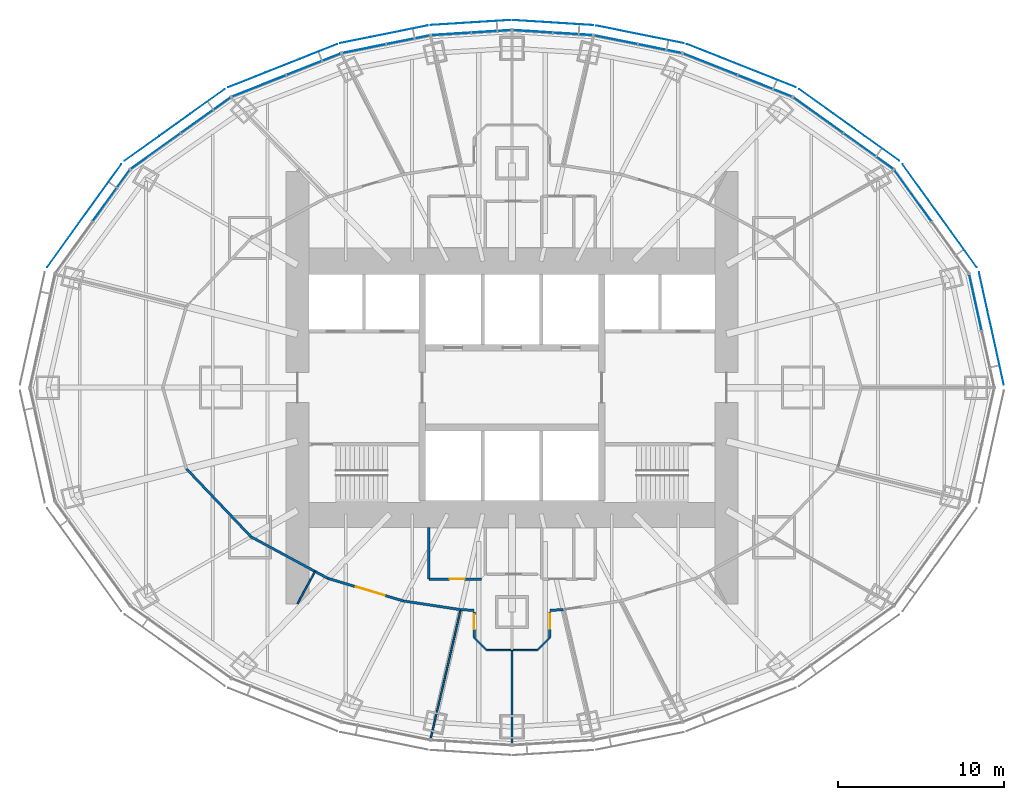
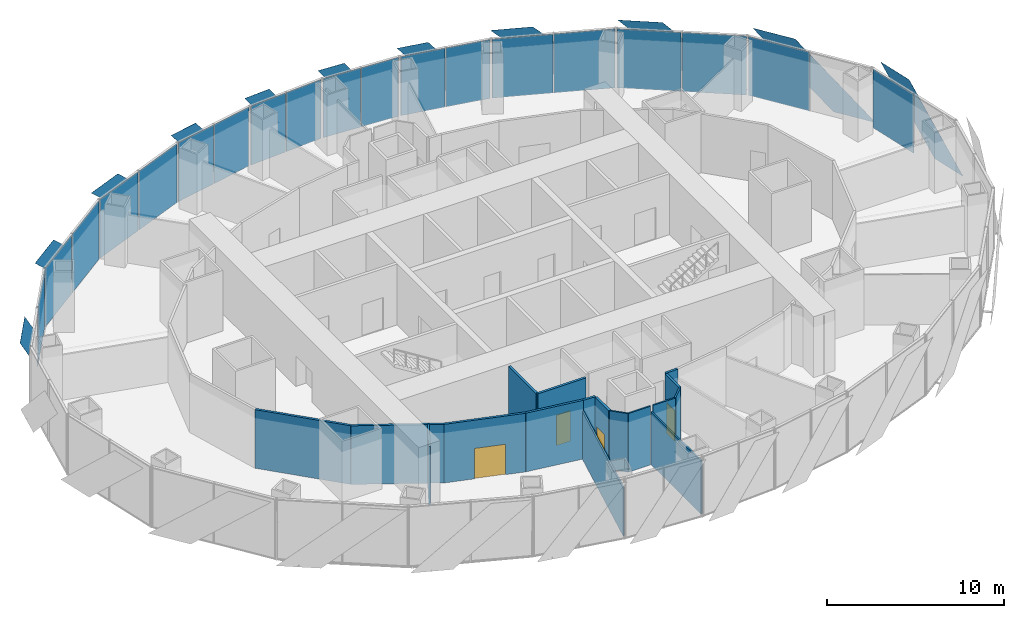
# One storey, part 10 of 18: 30 plates, 17 walls, 4 doors, 4 openings, 11 elements without a shape of their own.
"""IFC4 building model written with IfcOpenShell, lengths in metres."""

from ifc_helpers import new_model, si_unit, direction, frame, frame_2d, origin, origin_2d, place, context, subcontext, project, spatial, polyline, rectangle, outline, extrude, material, layer, layer_set, type_object, element, fill, aggregate, save


model = new_model("IFC4")

# Units and contexts
model_context = context("Model", 3, precision=1e-05, world=origin(), true_north=direction((0.0, 1.0)))
body_context = subcontext(model_context, "Body", "Model", "MODEL_VIEW")
ifc_project = project(units=[si_unit("LENGTHUNIT", "METRE"), si_unit("AREAUNIT", "SQUARE_METRE"), si_unit("VOLUMEUNIT", "CUBIC_METRE"), si_unit("PLANEANGLEUNIT", "RADIAN"), si_unit("MASSUNIT", "GRAM", prefix="KILO")], contexts=[model_context])

# Site, building, storey
site_placement = place(None, origin())
site = spatial("IfcSite", under=ifc_project, at=site_placement, CompositionType="ELEMENT")
building_placement = place(site_placement, origin())
building = spatial("IfcBuilding", under=site, at=building_placement, Name="Lantaw Convention Tower", CompositionType="ELEMENT")
storey_placement = place(building_placement, frame((0.0, 0.0, 142.60009765625)))
storey = spatial("IfcBuildingStorey", under=building, at=storey_placement, Name="L33", CompositionType="ELEMENT", Elevation=142.60009765625)

# Curtain wall, plate
ifc_material_1 = material(Name="Aluminium framed curtain wall", Category="aluminium")
curtain_wall_type = type_object("IfcCurtainWallType", Name="Office curtain wall low rise, pale aluminium", PredefinedType="USERDEFINED", material=ifc_material_1)
curtain_wall_1_placement = place(storey_placement, origin())
curtain_wall_1 = element("IfcCurtainWall", 1, at=curtain_wall_1_placement, inside=storey, type_object=curtain_wall_type, Name="Office curtain wall low rise, pale aluminium L33", ObjectType="UNITISED CURTAIN WALL", PredefinedType="USERDEFINED")
ifc_material_2 = material(Name="Clear insulating glass", Category="glass")
ifc_layer_1 = layer(ifc_material_2, 0.028076171875)
ifc_layer_set_1 = layer_set([ifc_layer_1], Name="CW-O1 panel 28")
plate_type_1 = type_object("IfcPlateType", Name="CW-O1 panel 28", PredefinedType="CURTAIN_PANEL", material=ifc_layer_set_1)
plate_1_placement = place(storey_placement, frame((27.868896484375, 5.1240234375, -0.0849609375), z_axis=(0.0, 0.0, 1.0), x_axis=(-0.215546166174, 0.9764936509, 0.0)))
plate_1 = element("IfcPlate", 2, at=plate_1_placement, type_object=plate_type_1, Name="CW-O1 panel 2.1", PredefinedType="CURTAIN_PANEL", context=body_context, shape_type="SweptSolid", body=[
    extrude(rectangle(XDim=3.41162109375, YDim=0.028076171875, at=origin_2d()), origin(), (0.0, 0.0, 1.0), 4.070068359375),
])
aggregate(curtain_wall_1, [plate_1])

curtain_wall_2_placement = place(storey_placement, origin())
curtain_wall_2 = element("IfcCurtainWall", 3, at=curtain_wall_2_placement, inside=storey, type_object=curtain_wall_type, Name="Office curtain wall low rise, pale aluminium L33", ObjectType="UNITISED CURTAIN WALL", PredefinedType="USERDEFINED")
plate_2_placement = place(storey_placement, frame((24.108154296875, 11.5439453125, -0.0849609375), z_axis=(0.0, 0.0, 1.0), x_axis=(-0.584512597221, 0.811384633629, 0.0)))
plate_2 = element("IfcPlate", 4, at=plate_2_placement, type_object=plate_type_1, Name="CW-O1 panel 2.1", PredefinedType="CURTAIN_PANEL", context=body_context, shape_type="SweptSolid", body=[
    extrude(rectangle(XDim=3.767333984375, YDim=0.028076171875, at=origin_2d()), origin(), (0.0, 0.0, 1.0), 4.070068359375),
])
aggregate(curtain_wall_2, [plate_2])

# Curtain wall, plates
curtain_wall_3_placement = place(storey_placement, origin())
curtain_wall_3 = element("IfcCurtainWall", 5, at=curtain_wall_3_placement, inside=storey, type_object=curtain_wall_type, Name="Office curtain wall low rise, pale aluminium L33", ObjectType="UNITISED CURTAIN WALL", PredefinedType="USERDEFINED")
plate_3_placement = place(storey_placement, frame((21.43408203125, 14.2236328125, -0.0849609375), z_axis=(0.0, 0.0, 1.0), x_axis=(-0.813208325995, 0.581972695693, 0.0)))
plate_3 = element("IfcPlate", 6, at=plate_3_placement, type_object=plate_type_1, Name="CW-O1 panel 1.1", PredefinedType="CURTAIN_PANEL", context=body_context, shape_type="SweptSolid", body=[
    extrude(rectangle(XDim=3.645263671875, YDim=0.028076171875, at=origin_2d()), origin(), (0.0, 0.0, 1.0), 4.070068359375),
])
plate_4_placement = place(storey_placement, frame((18.416748046875, 16.383056640625, -0.0849609375), z_axis=(0.0, 0.0, 1.0), x_axis=(-0.813208325995, 0.581972695693, 0.0)))
plate_4 = element("IfcPlate", 7, at=plate_4_placement, type_object=plate_type_1, Name="CW-O1 panel 2.1", PredefinedType="CURTAIN_PANEL", context=body_context, shape_type="SweptSolid", body=[
    extrude(rectangle(XDim=3.645263671875, YDim=0.028076171875, at=origin_2d()), origin(), (0.0, 0.0, 1.0), 4.070068359375),
])
aggregate(curtain_wall_3, [plate_3, plate_4])

curtain_wall_4_placement = place(storey_placement, origin())
curtain_wall_4 = element("IfcCurtainWall", 8, at=curtain_wall_4_placement, inside=storey, type_object=curtain_wall_type, Name="Office curtain wall low rise, pale aluminium L33", ObjectType="UNITISED CURTAIN WALL", PredefinedType="USERDEFINED")
plate_5_placement = place(storey_placement, frame((15.208251953125, 18.145263671875, -0.0849609375), z_axis=(0.0, 0.0, 1.0), x_axis=(-0.929547687544, 0.368701907483, 0.0)))
plate_5 = element("IfcPlate", 9, at=plate_5_placement, type_object=plate_type_1, Name="CW-O1 panel 1.1", PredefinedType="CURTAIN_PANEL", context=body_context, shape_type="SweptSolid", body=[
    extrude(rectangle(XDim=3.470703125, YDim=0.028076171875, at=origin_2d()), origin(), (0.0, 0.0, 1.0), 4.070068359375),
])
plate_6_placement = place(storey_placement, frame((11.921630859375, 19.448974609375, -0.0849609375), z_axis=(0.0, 0.0, 1.0), x_axis=(-0.929547687544, 0.368701907483, 0.0)))
plate_6 = element("IfcPlate", 10, at=plate_6_placement, type_object=plate_type_1, Name="CW-O1 panel 2.1", PredefinedType="CURTAIN_PANEL", context=body_context, shape_type="SweptSolid", body=[
    extrude(rectangle(XDim=3.470703125, YDim=0.028076171875, at=origin_2d()), origin(), (0.0, 0.0, 1.0), 4.070068359375),
])
aggregate(curtain_wall_4, [plate_5, plate_6])

curtain_wall_5_placement = place(storey_placement, origin())
curtain_wall_5 = element("IfcCurtainWall", 11, at=curtain_wall_5_placement, inside=storey, type_object=curtain_wall_type, Name="Office curtain wall low rise, pale aluminium L33", ObjectType="UNITISED CURTAIN WALL", PredefinedType="USERDEFINED")
plate_7_placement = place(storey_placement, frame((8.893310546875, 20.3857421875, -0.0849609375), z_axis=(0.0, 0.0, 1.0), x_axis=(-0.980301514912, 0.197506809659, 0.0)))
plate_7 = element("IfcPlate", 12, at=plate_7_placement, type_object=plate_type_1, Name="CW-O1 panel 1.1", PredefinedType="CURTAIN_PANEL", context=body_context, shape_type="SweptSolid", body=[
    extrude(rectangle(XDim=2.634033203125, YDim=0.028076171875, at=origin_2d()), origin(), (0.0, 0.0, 1.0), 4.070068359375),
])
plate_8_placement = place(storey_placement, frame((6.247314453125, 20.9189453125, -0.0849609375), z_axis=(0.0, 0.0, 1.0), x_axis=(-0.980301514912, 0.197506809659, 0.0)))
plate_8 = element("IfcPlate", 13, at=plate_8_placement, type_object=plate_type_1, Name="CW-O1 panel 2.1", PredefinedType="CURTAIN_PANEL", context=body_context, shape_type="SweptSolid", body=[
    extrude(rectangle(XDim=2.634033203125, YDim=0.028076171875, at=origin_2d()), origin(), (0.0, 0.0, 1.0), 4.070068359375),
])
aggregate(curtain_wall_5, [plate_7, plate_8])

curtain_wall_6_placement = place(storey_placement, origin())
curtain_wall_6 = element("IfcCurtainWall", 14, at=curtain_wall_6_placement, inside=storey, type_object=curtain_wall_type, Name="Office curtain wall low rise, pale aluminium L33", ObjectType="UNITISED CURTAIN WALL", PredefinedType="USERDEFINED")
plate_9_placement = place(storey_placement, frame((3.653076171875, 21.269775390625, -0.0849609375), z_axis=(0.0, 0.0, 1.0), x_axis=(-0.998022035978, 0.062865059466, 0.0)))
plate_9 = element("IfcPlate", 15, at=plate_9_placement, type_object=plate_type_1, Name="CW-O1 panel 1.1", PredefinedType="CURTAIN_PANEL", context=body_context, shape_type="SweptSolid", body=[
    extrude(rectangle(XDim=2.353515625, YDim=0.028076171875, at=origin_2d()), origin(), (0.0, 0.0, 1.0), 4.070068359375),
])
plate_10_placement = place(storey_placement, frame((1.2392578125, 21.421875, -0.0849609375), z_axis=(0.0, 0.0, 1.0), x_axis=(-0.998022035978, 0.062865059466, 0.0)))
plate_10 = element("IfcPlate", 16, at=plate_10_placement, type_object=plate_type_1, Name="CW-O1 panel 2.1", PredefinedType="CURTAIN_PANEL", context=body_context, shape_type="SweptSolid", body=[
    extrude(rectangle(XDim=2.353515625, YDim=0.028076171875, at=origin_2d()), origin(), (0.0, 0.0, 1.0), 4.070068359375),
])
aggregate(curtain_wall_6, [plate_9, plate_10])

curtain_wall_7_placement = place(storey_placement, origin())
curtain_wall_7 = element("IfcCurtainWall", 17, at=curtain_wall_7_placement, inside=storey, type_object=curtain_wall_type, Name="Office curtain wall low rise, pale aluminium L33", ObjectType="UNITISED CURTAIN WALL", PredefinedType="USERDEFINED")
plate_11_placement = place(storey_placement, frame((-1.2392578125, 21.421875, -0.0849609375), z_axis=(0.0, 0.0, 1.0), x_axis=(-0.998022035978, -0.062865059466, 0.0)))
plate_11 = element("IfcPlate", 18, at=plate_11_placement, type_object=plate_type_1, Name="CW-O1 panel 1.1", PredefinedType="CURTAIN_PANEL", context=body_context, shape_type="SweptSolid", body=[
    extrude(rectangle(XDim=2.353515625, YDim=0.028076171875, at=origin_2d()), origin(), (0.0, 0.0, 1.0), 4.070068359375),
])
plate_12_placement = place(storey_placement, frame((-3.653076171875, 21.269775390625, -0.0849609375), z_axis=(0.0, 0.0, 1.0), x_axis=(-0.998022035978, -0.062865059466, 0.0)))
plate_12 = element("IfcPlate", 19, at=plate_12_placement, type_object=plate_type_1, Name="CW-O1 panel 2.1", PredefinedType="CURTAIN_PANEL", context=body_context, shape_type="SweptSolid", body=[
    extrude(rectangle(XDim=2.353515625, YDim=0.028076171875, at=origin_2d()), origin(), (0.0, 0.0, 1.0), 4.070068359375),
])
aggregate(curtain_wall_7, [plate_11, plate_12])

curtain_wall_8_placement = place(storey_placement, origin())
curtain_wall_8 = element("IfcCurtainWall", 20, at=curtain_wall_8_placement, inside=storey, type_object=curtain_wall_type, Name="Office curtain wall low rise, pale aluminium L33", ObjectType="UNITISED CURTAIN WALL", PredefinedType="USERDEFINED")
plate_13_placement = place(storey_placement, frame((-6.247314453125, 20.9189453125, -0.0849609375), z_axis=(0.0, 0.0, 1.0), x_axis=(-0.980301514912, -0.197506809659, 0.0)))
plate_13 = element("IfcPlate", 21, at=plate_13_placement, type_object=plate_type_1, Name="CW-O1 panel 1.1", PredefinedType="CURTAIN_PANEL", context=body_context, shape_type="SweptSolid", body=[
    extrude(rectangle(XDim=2.634033203125, YDim=0.028076171875, at=origin_2d()), origin(), (0.0, 0.0, 1.0), 4.070068359375),
])
plate_14_placement = place(storey_placement, frame((-8.893310546875, 20.3857421875, -0.0849609375), z_axis=(0.0, 0.0, 1.0), x_axis=(-0.980301514912, -0.197506809659, 0.0)))
plate_14 = element("IfcPlate", 22, at=plate_14_placement, type_object=plate_type_1, Name="CW-O1 panel 2.1", PredefinedType="CURTAIN_PANEL", context=body_context, shape_type="SweptSolid", body=[
    extrude(rectangle(XDim=2.634033203125, YDim=0.028076171875, at=origin_2d()), origin(), (0.0, 0.0, 1.0), 4.070068359375),
])
aggregate(curtain_wall_8, [plate_13, plate_14])

curtain_wall_9_placement = place(storey_placement, origin())
curtain_wall_9 = element("IfcCurtainWall", 23, at=curtain_wall_9_placement, inside=storey, type_object=curtain_wall_type, Name="Office curtain wall low rise, pale aluminium L33", ObjectType="UNITISED CURTAIN WALL", PredefinedType="USERDEFINED")
plate_15_placement = place(storey_placement, frame((-11.921630859375, 19.448974609375, -0.0849609375), z_axis=(0.0, 0.0, 1.0), x_axis=(-0.929547687544, -0.368701907483, 0.0)))
plate_15 = element("IfcPlate", 24, at=plate_15_placement, type_object=plate_type_1, Name="CW-O1 panel 1.1", PredefinedType="CURTAIN_PANEL", context=body_context, shape_type="SweptSolid", body=[
    extrude(rectangle(XDim=3.470703125, YDim=0.028076171875, at=origin_2d()), origin(), (0.0, 0.0, 1.0), 4.070068359375),
])
plate_16_placement = place(storey_placement, frame((-15.208251953125, 18.145263671875, -0.0849609375), z_axis=(0.0, 0.0, 1.0), x_axis=(-0.929547687544, -0.368701907483, 0.0)))
plate_16 = element("IfcPlate", 25, at=plate_16_placement, type_object=plate_type_1, Name="CW-O1 panel 2.1", PredefinedType="CURTAIN_PANEL", context=body_context, shape_type="SweptSolid", body=[
    extrude(rectangle(XDim=3.470703125, YDim=0.028076171875, at=origin_2d()), origin(), (0.0, 0.0, 1.0), 4.070068359375),
])
aggregate(curtain_wall_9, [plate_15, plate_16])

curtain_wall_10_placement = place(storey_placement, origin())
curtain_wall_10 = element("IfcCurtainWall", 26, at=curtain_wall_10_placement, inside=storey, type_object=curtain_wall_type, Name="Office curtain wall low rise, pale aluminium L33", ObjectType="UNITISED CURTAIN WALL", PredefinedType="USERDEFINED")
plate_17_placement = place(storey_placement, frame((-18.416748046875, 16.383056640625, -0.0849609375), z_axis=(0.0, 0.0, 1.0), x_axis=(-0.813208325995, -0.581972695693, 0.0)))
plate_17 = element("IfcPlate", 27, at=plate_17_placement, type_object=plate_type_1, Name="CW-O1 panel 1.1", PredefinedType="CURTAIN_PANEL", context=body_context, shape_type="SweptSolid", body=[
    extrude(rectangle(XDim=3.645263671875, YDim=0.028076171875, at=origin_2d()), origin(), (0.0, 0.0, 1.0), 4.070068359375),
])
plate_18_placement = place(storey_placement, frame((-21.43408203125, 14.2236328125, -0.0849609375), z_axis=(0.0, 0.0, 1.0), x_axis=(-0.813208325995, -0.581972695693, 0.0)))
plate_18 = element("IfcPlate", 28, at=plate_18_placement, type_object=plate_type_1, Name="CW-O1 panel 2.1", PredefinedType="CURTAIN_PANEL", context=body_context, shape_type="SweptSolid", body=[
    extrude(rectangle(XDim=3.645263671875, YDim=0.028076171875, at=origin_2d()), origin(), (0.0, 0.0, 1.0), 4.070068359375),
])
aggregate(curtain_wall_10, [plate_17, plate_18])

# Curtain wall, plate
curtain_wall_11_placement = place(storey_placement, origin())
curtain_wall_11 = element("IfcCurtainWall", 29, at=curtain_wall_11_placement, inside=storey, type_object=curtain_wall_type, Name="Office curtain wall low rise, pale aluminium L33", ObjectType="UNITISED CURTAIN WALL", PredefinedType="USERDEFINED")
plate_19_placement = place(storey_placement, frame((-24.108154296875, 11.5439453125, -0.0849609375), z_axis=(0.0, 0.0, 1.0), x_axis=(-0.584512597221, -0.811384633629, 0.0)))
plate_19 = element("IfcPlate", 30, at=plate_19_placement, type_object=plate_type_1, Name="CW-O1 panel 1.1", PredefinedType="CURTAIN_PANEL", context=body_context, shape_type="SweptSolid", body=[
    extrude(rectangle(XDim=3.767333984375, YDim=0.028076171875, at=origin_2d()), origin(), (0.0, 0.0, 1.0), 4.070068359375),
])
aggregate(curtain_wall_11, [plate_19])

# Plates
ifc_material_3 = material(Name="Perforated aluminium sheet, pale silver finish", Category="aluminium")
ifc_layer_2 = layer(ifc_material_3, 0.006103515625)
ifc_layer_set_2 = layer_set([ifc_layer_2], Name="Perforated aluminium solar SCREEN panel")
plate_type_2 = type_object("IfcPlateType", Name="Perforated aluminium solar SCREEN panel", PredefinedType="SHEET", material=ifc_layer_set_2)
plate_20_placement = place(storey_placement, frame((29.5810546875, 0.179443359375, -0.175048828125), z_axis=(0.976497812463, 0.215527309509, 3.3329045e-05), x_axis=(-0.215527309629, 0.976497813005, 1.665e-09)))
element("IfcPlate", 31, at=plate_20_placement, inside=storey, type_object=plate_type_2, Name="Solar SCREEN panel", PredefinedType="SHEET", context=body_context, shape_type="SweptSolid", body=[
    extrude(outline(polyline([(0.0, 0.0), (2.3861843673609986, 0.0), (6.918240190546627, 4.339843740891906), (4.532108442157707, 4.339843748837556), (0.0, 0.0)])), origin(), (0.0, 0.0, -1.0), 0.006103515625),
])
plate_21_placement = place(storey_placement, frame((27.94970703125, 7.248046875, -0.175048828125), z_axis=(0.81139512159, 0.584498037099, 3.5888803e-05), x_axis=(-0.584498037475, 0.811395122112, -9.74e-10)))
element("IfcPlate", 32, at=plate_21_placement, inside=storey, type_object=plate_type_2, Name="Solar SCREEN panel", PredefinedType="SHEET", context=body_context, shape_type="SweptSolid", body=[
    extrude(outline(polyline([(0.0, 0.0), (2.628222178575422, -6.776263578034403e-21), (7.629778257969264, 4.339843760228519), (5.001754173906077, 4.339843755107391), (0.0, 0.0)])), origin(), (0.0, 0.0, -1.0), 0.006103515625),
])
plate_22_placement = place(storey_placement, frame((23.281005859375, 13.64697265625, -0.175048828125), z_axis=(0.582000183937, 0.813188653244, 1.1537794e-05), x_axis=(-0.813188653298, 0.582000183975, 0.0)))
element("IfcPlate", 33, at=plate_22_placement, inside=storey, type_object=plate_type_2, Name="Solar SCREEN panel", PredefinedType="SHEET", context=body_context, shape_type="SweptSolid", body=[
    extrude(outline(polyline([(0.0, 0.0), (2.5450183911586484, 1.6940658945086007e-21), (7.385531276904658, 4.339843750288861), (4.840512885746009, 4.339843750288861), (0.0, 0.0)])), origin(), (0.0, 0.0, -1.0), 0.006103515625),
])
plate_23_placement = place(storey_placement, frame((17.05859375, 18.063232421875, -0.175048828125), z_axis=(-0.368708915367, -0.929544907797, 1.0867661e-05), x_axis=(-0.929544907851, 0.368708915389, 7.1e-10)))
element("IfcPlate", 34, at=plate_23_placement, inside=storey, type_object=plate_type_2, Name="Solar SCREEN panel", PredefinedType="SHEET", context=body_context, shape_type="SweptSolid", body=[
    extrude(outline(polyline([(0.0, 0.0), (2.4263803793049097, 0.0), (7.036549629566982, -4.339843745261612), (4.61003232741235, -4.339843748706285), (0.0, 0.0)])), origin(), (0.0, 0.0, -1.0), 0.006103515625),
])
plate_24_placement = place(storey_placement, frame((10.318603515625, 20.716796875, -0.175048828125), z_axis=(0.197556725442, 0.980291455983, 3.9485719e-05), x_axis=(-0.980291456747, 0.197556725596, 0.0)))
element("IfcPlate", 35, at=plate_24_placement, inside=storey, type_object=plate_type_2, Name="Solar SCREEN panel", PredefinedType="SHEET", context=body_context, shape_type="SweptSolid", body=[
    extrude(outline(polyline([(0.0, 0.0), (1.8574075788555457, 1.6940658945086007e-21), (5.362987026845185, 4.339843753383173), (3.505579447989639, 4.339843753383173), (0.0, 0.0)])), origin(), (0.0, 0.0, -1.0), 0.006103515625),
])
plate_25_placement = place(storey_placement, frame((4.880615234375, 21.7998046875, -0.175048828125), z_axis=(0.062838799866, 0.998023689713, 1.755158e-06), x_axis=(-0.998023689715, 0.062838799866, -8e-12)))
element("IfcPlate", 36, at=plate_25_placement, inside=storey, type_object=plate_type_2, Name="Solar SCREEN panel", PredefinedType="SHEET", context=body_context, shape_type="SweptSolid", body=[
    extrude(outline(polyline([(0.0, 0.0), (1.6666243269452135, 2.6469779601696886e-23), (4.802214797186689, 4.339843750045478), (3.135346812114104, 4.33984375001855), (0.0, 0.0)])), origin(), (0.0, 0.0, -1.0), 0.006103515625),
])
plate_26_placement = place(storey_placement, frame((-0.087890625, 22.1015625, -0.175048828125), z_axis=(0.062838799866, -0.998023689713, 1.755158e-06), x_axis=(-0.998023689715, -0.062838799866, 8e-12)))
element("IfcPlate", 37, at=plate_26_placement, inside=storey, type_object=plate_type_2, Name="Solar SCREEN panel", PredefinedType="SHEET", context=body_context, shape_type="SweptSolid", body=[
    extrude(outline(polyline([(0.0, 0.0), (1.6668679850725854, -5.293955920339377e-23), (4.802214797256801, -4.339843749967897), (3.1355904703115876, -4.339843749994822), (0.0, 0.0)])), origin(), (0.0, 0.0, -1.0), 0.006103515625),
])
plate_27_placement = place(storey_placement, frame((-5.061279296875, 21.776123046875, -0.175048828125), z_axis=(0.197556725442, -0.980291455983, 3.9485719e-05), x_axis=(-0.980291456747, -0.197556725596, 0.0)))
element("IfcPlate", 38, at=plate_27_placement, inside=storey, type_object=plate_type_2, Name="Solar SCREEN panel", PredefinedType="SHEET", context=body_context, shape_type="SweptSolid", body=[
    extrude(outline(polyline([(0.0, 0.0), (1.8574075788555457, -1.6940658945086007e-21), (5.362987026845185, -4.339843753383173), (3.505579447989639, -4.339843753383173), (0.0, 0.0)])), origin(), (0.0, 0.0, -1.0), 0.006103515625),
])
plate_28_placement = place(storey_placement, frame((-10.517822265625, 20.65771484375, -0.175048828125), z_axis=(-0.368708915367, 0.929544907797, 1.0867661e-05), x_axis=(-0.929544907851, -0.368708915389, -7.1e-10)))
element("IfcPlate", 39, at=plate_28_placement, inside=storey, type_object=plate_type_2, Name="Solar SCREEN panel", PredefinedType="SHEET", context=body_context, shape_type="SweptSolid", body=[
    extrude(outline(polyline([(0.0, 0.0), (2.426517302154632, 1.6940658945086007e-21), (7.036549623406159, 4.339843755250667), (4.610169244101249, 4.339843751806188), (0.0, 0.0)])), origin(), (0.0, 0.0, -1.0), 0.006103515625),
])
plate_29_placement = place(storey_placement, frame((-17.275146484375, 17.9453125, -0.175048828125), z_axis=(0.582000183937, -0.813188653244, 1.1537794e-05), x_axis=(-0.813188653298, -0.582000183975, 0.0)))
element("IfcPlate", 40, at=plate_29_placement, inside=storey, type_object=plate_type_2, Name="Solar SCREEN panel", PredefinedType="SHEET", context=body_context, shape_type="SweptSolid", body=[
    extrude(outline(polyline([(0.0, 0.0), (2.5450183911586484, -1.6940658945086007e-21), (7.385531276904658, -4.339843750288861), (4.840512885746009, -4.339843750288861), (0.0, 0.0)])), origin(), (0.0, 0.0, -1.0), 0.006103515625),
])
plate_30_placement = place(storey_placement, frame((-23.489990234375, 13.438720703125, -0.175048828125), z_axis=(0.81139512159, -0.584498037099, 3.5888803e-05), x_axis=(-0.584498037475, -0.811395122112, 9.74e-10)))
element("IfcPlate", 41, at=plate_30_placement, inside=storey, type_object=plate_type_2, Name="Solar SCREEN panel", PredefinedType="SHEET", context=body_context, shape_type="SweptSolid", body=[
    extrude(outline(polyline([(0.0, 0.0), (2.6280240840631874, 6.776263578034403e-21), (7.62977826642615, -4.339843745360666), (5.001556087850728, -4.3398437504821805), (0.0, 0.0)])), origin(), (0.0, 0.0, -1.0), 0.006103515625),
])

# Walls
ifc_material_4 = material(Name="Gypsum board on steel studs, fire rated", Category="steel")
ifc_layer_3 = layer(ifc_material_4, 0.14990234375)
ifc_layer_set_3 = layer_set([ifc_layer_3], Name="Corridor wall 150 EI 60")
wall_type_1 = type_object("IfcWallType", Name="Corridor wall 150 EI 60", PredefinedType="PARTITIONING", material=ifc_layer_set_3)
wall_1_placement = place(storey_placement, frame((-19.5791015625, -4.881591796875, 0.0), z_axis=(0.0, 0.0, 1.0), x_axis=(0.688797257101, -0.72495402517, 0.0)))
element("IfcWall", 42, at=wall_1_placement, inside=storey, type_object=wall_type_1, Name="Corridor wall 150", PredefinedType="PARTITIONING", context=body_context, shape_type="SweptSolid", body=[
    extrude(rectangle(XDim=5.63818359375, YDim=0.14990234375, at=frame_2d((2.819091796875, 0.0))), origin(), (0.0, 0.0, 1.0), 4.0498046875),
])
wall_2_placement = place(storey_placement, frame((-15.695556640625, -8.968994140625, 0.0), z_axis=(0.0, 0.0, 1.0), x_axis=(0.879436285334, -0.476016617397, 0.0)))
element("IfcWall", 43, at=wall_2_placement, inside=storey, type_object=wall_type_1, Name="Corridor wall 150", PredefinedType="PARTITIONING", context=body_context, shape_type="SweptSolid", body=[
    extrude(rectangle(XDim=5.2529296875, YDim=0.14990234375, at=frame_2d((2.62646484375, 0.0))), origin(), (0.0, 0.0, 1.0), 4.0498046875),
])

# Wall, opening, door
wall_3_placement = place(storey_placement, frame((-11.075927734375, -11.469482421875, 0.0), z_axis=(0.0, 0.0, 1.0), x_axis=(0.957933992798, -0.286988615527, 0.0)))
wall_3 = element("IfcWall", 44, at=wall_3_placement, inside=storey, type_object=wall_type_1, Name="Corridor wall 150", PredefinedType="PARTITIONING", context=body_context, shape_type="SweptSolid", body=[
    extrude(rectangle(XDim=4.73828125, YDim=0.14990234375, at=frame_2d((2.369140625, 0.0))), origin(), (0.0, 0.0, 1.0), 4.0498046875),
])
opening_1_placement = place(wall_3_placement, frame((1.773681640625, 0.0, 0.0)))
opening_1 = element("IfcOpeningElement", 45, at=opening_1_placement, cuts=wall_3, Name="Opening L33.29", PredefinedType="OPENING", context=body_context, shape_type="SweptSolid", body=[
    extrude(rectangle(XDim=1.800048828125, YDim=2.10009765625, at=frame_2d((0.89990234375, 1.050048828125))), frame((0.0, 0.0849609375, 0.0), z_axis=(0.0, -1.0, 0.0), x_axis=(1.0, 0.0, 0.0)), (0.0, 0.0, 1.0), 0.169921875),
])
ifc_material_5 = material(Name="Steel, fire rated", Category="steel")
door_type_1 = type_object("IfcDoorType", Name="Office double door 1800 FD30", OperationType="DOUBLE_DOOR_DOUBLE_SWING", PredefinedType="DOOR", material=ifc_material_5)
door_1_placement = place(opening_1_placement, origin())
door_1 = element("IfcDoor", 46, at=door_1_placement, inside=storey, type_object=door_type_1, Name="Open office door", OperationType="DOUBLE_DOOR_DOUBLE_SWING", OverallHeight=2.10009765625, OverallWidth=1.800048828125, PredefinedType="DOOR", context=body_context, shape_type="SweptSolid", body=[
    extrude(rectangle(XDim=1.800048828125, YDim=2.10009765625, at=frame_2d((0.89990234375, 1.050048828125))), frame((0.0, 0.02490234375, 0.0), z_axis=(0.0, -1.0, 0.0), x_axis=(1.0, 0.0, 0.0)), (0.0, 0.0, 1.0), 0.050048828125),
])
fill(opening_1, door_1)

# Walls
wall_4_placement = place(storey_placement, frame((-6.536865234375, -12.829345703125, 0.0), z_axis=(0.0, 0.0, 1.0), x_axis=(0.988668719464, -0.150113833987, 0.0)))
element("IfcWall", 47, at=wall_4_placement, inside=storey, type_object=wall_type_1, Name="Corridor wall 150", PredefinedType="PARTITIONING", context=body_context, shape_type="SweptSolid", body=[
    extrude(rectangle(XDim=3.493408203125, YDim=0.14990234375, at=frame_2d((1.74658203125, 0.0))), origin(), (0.0, 0.0, 1.0), 4.0498046875),
])
for number, where, z_axis, x_axis, name in (
    (48, (-3.0830078125, -13.353759765625, 0.0), (0.0, 0.0, 1.0), (0.998878614804, -0.04734461836, 0.0), "Corridor wall 150"),
    (49, (2.294921875, -13.39111328125, 0.0), (0.0, 0.0, 1.0), (0.998878614804, 0.04734461836, 0.0), "Corridor wall 150"),
):
    element("IfcWall", number, at=place(storey_placement, frame(where, z_axis=z_axis, x_axis=x_axis)), inside=storey, type_object=wall_type_1, Name=name, PredefinedType="PARTITIONING", context=body_context, shape_type="SweptSolid", body=[
        extrude(rectangle(XDim=0.7890625, YDim=0.14990234375, at=frame_2d((0.39453125, 0.0))), origin(), (0.0, 0.0, 1.0), 4.0498046875),
    ])

# Wall, opening, door
wall_5_placement = place(storey_placement, frame((-2.284912109375, -15.0322265625, 0.0), z_axis=(0.0, 0.0, 1.0), x_axis=(0.0, 1.0, 0.0)))
wall_5 = element("IfcWall", 50, at=wall_5_placement, inside=storey, type_object=wall_type_1, Name="Corridor wall 150", PredefinedType="PARTITIONING", context=body_context, shape_type="SweptSolid", body=[
    extrude(rectangle(XDim=1.53955078125, YDim=0.14990234375, at=frame_2d((0.769775390625, 0.0))), origin(), (0.0, 0.0, 1.0), 4.0498046875),
])
opening_2_placement = place(wall_5_placement, frame((0.5, 0.0, 0.0)))
opening_2 = element("IfcOpeningElement", 51, at=opening_2_placement, cuts=wall_5, Name="Opening L33.30", PredefinedType="OPENING", context=body_context, shape_type="SweptSolid", body=[
    extrude(rectangle(XDim=0.89990234375, YDim=2.10009765625, at=frame_2d((0.449951171875, 1.050048828125))), frame((0.0, 0.0849609375, 0.0), z_axis=(0.0, -1.0, 0.0), x_axis=(1.0, 0.0, 0.0)), (0.0, 0.0, 1.0), 0.169921875),
])
door_type_2 = type_object("IfcDoorType", Name="Office door 900 FD30", OperationType="SINGLE_SWING_LEFT", PredefinedType="DOOR", material=ifc_material_5)
door_2_placement = place(opening_2_placement, origin())
door_2 = element("IfcDoor", 52, at=door_2_placement, inside=storey, type_object=door_type_2, Name="Meeting room door", OperationType="SINGLE_SWING_LEFT", OverallHeight=2.10009765625, OverallWidth=0.89990234375, PredefinedType="DOOR", context=body_context, shape_type="SweptSolid", body=[
    extrude(rectangle(XDim=0.89990234375, YDim=2.10009765625, at=frame_2d((0.449951171875, 1.050048828125))), frame((0.0, 0.02490234375, 0.0), z_axis=(0.0, -1.0, 0.0), x_axis=(1.0, 0.0, 0.0)), (0.0, 0.0, 1.0), 0.050048828125),
])
fill(opening_2, door_2)

wall_6_placement = place(storey_placement, frame((2.284912109375, -13.49267578125, 0.0), z_axis=(0.0, 0.0, 1.0), x_axis=(0.0, -1.0, 0.0)))
wall_6 = element("IfcWall", 53, at=wall_6_placement, inside=storey, type_object=wall_type_1, Name="Corridor wall 150", PredefinedType="PARTITIONING", context=body_context, shape_type="SweptSolid", body=[
    extrude(rectangle(XDim=1.53955078125, YDim=0.14990234375, at=frame_2d((0.769775390625, 0.0))), origin(), (0.0, 0.0, 1.0), 4.0498046875),
])
opening_3_placement = place(wall_6_placement, frame((0.10009765625, 0.0, 0.0)))
opening_3 = element("IfcOpeningElement", 54, at=opening_3_placement, cuts=wall_6, Name="Opening L33.31", PredefinedType="OPENING", context=body_context, shape_type="SweptSolid", body=[
    extrude(rectangle(XDim=0.89990234375, YDim=2.10009765625, at=frame_2d((0.449951171875, 1.050048828125))), frame((0.0, 0.0849609375, 0.0), z_axis=(0.0, -1.0, 0.0), x_axis=(1.0, 0.0, 0.0)), (0.0, 0.0, 1.0), 0.169921875),
])
door_3_placement = place(opening_3_placement, origin())
door_3 = element("IfcDoor", 55, at=door_3_placement, inside=storey, type_object=door_type_2, Name="Meeting room door", OperationType="SINGLE_SWING_LEFT", OverallHeight=2.10009765625, OverallWidth=0.89990234375, PredefinedType="DOOR", context=body_context, shape_type="SweptSolid", body=[
    extrude(rectangle(XDim=0.89990234375, YDim=2.10009765625, at=frame_2d((0.449951171875, 1.050048828125))), frame((0.0, 0.02490234375, 0.0), z_axis=(0.0, -1.0, 0.0), x_axis=(1.0, 0.0, 0.0)), (0.0, 0.0, 1.0), 0.050048828125),
])
fill(opening_3, door_3)

# Walls
ifc_material_6 = material(Name="Gypsum board on steel studs, acoustic", Category="steel")
ifc_layer_4 = layer(ifc_material_6, 0.10009765625)
ifc_layer_set_4 = layer_set([ifc_layer_4], Name="Office partition 100")
wall_type_2 = type_object("IfcWallType", Name="Office partition 100", PredefinedType="PARTITIONING", material=ifc_layer_set_4)
wall_7_placement = place(storey_placement, frame((-4.89697265625, -21.134765625, 0.0), z_axis=(0.0, 0.0, 1.0), x_axis=(0.227039313577, 0.973885593943, 0.0)))
element("IfcWall", 56, at=wall_7_placement, inside=storey, type_object=wall_type_2, Name="Office partition 100", PredefinedType="PARTITIONING", context=body_context, shape_type="SweptSolid", body=[
    extrude(rectangle(XDim=7.98974609375, YDim=0.10009765625, at=frame_2d((3.994873046875, 0.0))), origin(), (0.0, 0.0, 1.0), 3.29296875),
])
wall_8_placement = place(storey_placement, frame((-12.89990234375, -13.0, 0.0), z_axis=(0.0, 0.0, 1.0), x_axis=(0.475998959765, 0.879445842734, 0.0)))
element("IfcWall", 57, at=wall_8_placement, inside=storey, type_object=wall_type_2, Name="Office partition 100", PredefinedType="PARTITIONING", context=body_context, shape_type="SweptSolid", body=[
    extrude(rectangle(XDim=2.214111328125, YDim=0.10009765625, at=frame_2d((1.10693359375, 0.0))), origin(), (0.0, 0.0, 1.0), 4.0498046875),
])
wall_9_placement = place(storey_placement, frame((0.0, -21.44482421875, 0.0), z_axis=(0.0, 0.0, 1.0), x_axis=(0.0, 1.0, 0.0)))
element("IfcWall", 58, at=wall_9_placement, inside=storey, type_object=wall_type_2, Name="Office partition 100", PredefinedType="PARTITIONING", context=body_context, shape_type="SweptSolid", body=[
    extrude(rectangle(XDim=5.64990234375, YDim=0.10009765625, at=frame_2d((2.824951171875, 0.0))), origin(), (0.0, 0.0, 1.0), 3.64599609375),
])
wall_10_placement = place(storey_placement, frame((-0.078125, -15.784912109375, 0.0), z_axis=(0.0, 0.0, 1.0), x_axis=(-1.0, 0.0, 0.0)))
element("IfcWall", 59, at=wall_10_placement, inside=storey, type_object=wall_type_2, Name="Office partition 100", PredefinedType="PARTITIONING", context=body_context, shape_type="SweptSolid", body=[
    extrude(rectangle(XDim=1.4541015625, YDim=0.10009765625, at=frame_2d((0.72705078125, 0.0))), origin(), (0.0, 0.0, 1.0), 4.0498046875),
])
for number, where, z_axis, x_axis, name in (
    (60, (-1.5322265625, -15.784912109375, 0.0), (0.0, 0.0, 1.0), (-0.707106781187, 0.707106781187, 0.0), "Office partition 100"),
    (61, (2.284912109375, -15.0322265625, 0.0), (0.0, 0.0, 1.0), (-0.707106781187, -0.707106781187, 0.0), "Office partition 100"),
):
    element("IfcWall", number, at=place(storey_placement, frame(where, z_axis=z_axis, x_axis=x_axis)), inside=storey, type_object=wall_type_2, Name=name, PredefinedType="PARTITIONING", context=body_context, shape_type="SweptSolid", body=[
        extrude(rectangle(XDim=1.064453125, YDim=0.10009765625, at=frame_2d((0.5322265625, 0.0))), origin(), (0.0, 0.0, 1.0), 4.0498046875),
    ])
wall_11_placement = place(storey_placement, frame((1.5322265625, -15.784912109375, 0.0), z_axis=(0.0, 0.0, 1.0), x_axis=(-1.0, 0.0, 0.0)))
element("IfcWall", 62, at=wall_11_placement, inside=storey, type_object=wall_type_2, Name="Office partition 100", PredefinedType="PARTITIONING", context=body_context, shape_type="SweptSolid", body=[
    extrude(rectangle(XDim=1.4541015625, YDim=0.10009765625, at=frame_2d((0.72705078125, 0.0))), origin(), (0.0, 0.0, 1.0), 4.0498046875),
])
ifc_material_7 = material(Name="Concrete blockwork", Category="masonry")
ifc_layer_5 = layer(ifc_material_7, 0.14990234375)
ifc_layer_set_5 = layer_set([ifc_layer_5], Name="WC wall 150")
wall_type_3 = type_object("IfcWallType", Name="WC wall 150", PredefinedType="SOLIDWALL", material=ifc_layer_set_5)
wall_12_placement = place(storey_placement, frame((-5.0, -8.39990234375, 0.0), z_axis=(0.0, 0.0, 1.0), x_axis=(0.0, -1.0, 0.0)))
element("IfcWall", 63, at=wall_12_placement, inside=storey, type_object=wall_type_3, Name="WC wall 150", PredefinedType="SOLIDWALL", context=body_context, shape_type="SweptSolid", body=[
    extrude(rectangle(XDim=3.112060546875, YDim=0.14990234375, at=frame_2d((1.55615234375, 0.0))), origin(), (0.0, 0.0, 1.0), 4.0498046875),
])

# Wall, opening, door
wall_13_placement = place(storey_placement, frame((-5.0, -11.511962890625, 0.0), z_axis=(0.0, 0.0, 1.0), x_axis=(1.0, 0.0, 0.0)))
wall_13 = element("IfcWall", 64, at=wall_13_placement, inside=storey, type_object=wall_type_3, Name="WC wall 150", PredefinedType="SOLIDWALL", context=body_context, shape_type="SweptSolid", body=[
    extrude(rectangle(XDim=3.156494140625, YDim=0.14990234375, at=frame_2d((1.578125, 0.0))), origin(), (0.0, 0.0, 1.0), 4.0498046875),
])
opening_4_placement = place(wall_13_placement, frame((1.25, 0.0, 0.0)))
opening_4 = element("IfcOpeningElement", 65, at=opening_4_placement, cuts=wall_13, Name="Opening L33.18", PredefinedType="OPENING", context=body_context, shape_type="SweptSolid", body=[
    extrude(rectangle(XDim=0.89990234375, YDim=2.10009765625, at=frame_2d((0.449951171875, 1.050048828125))), frame((0.0, 0.0849609375, 0.0), z_axis=(0.0, -1.0, 0.0), x_axis=(1.0, 0.0, 0.0)), (0.0, 0.0, 1.0), 0.169921875),
])
ifc_material_8 = material(Name="Timber", Category="wood")
door_type_3 = type_object("IfcDoorType", Name="WC door 900", OperationType="SINGLE_SWING_LEFT", PredefinedType="DOOR", material=ifc_material_8)
door_4_placement = place(opening_4_placement, origin())
door_4 = element("IfcDoor", 66, at=door_4_placement, inside=storey, type_object=door_type_3, Name="Male WC door", OperationType="SINGLE_SWING_LEFT", OverallHeight=2.10009765625, OverallWidth=0.89990234375, PredefinedType="DOOR", context=body_context, shape_type="SweptSolid", body=[
    extrude(rectangle(XDim=0.89990234375, YDim=2.10009765625, at=frame_2d((0.449951171875, 1.050048828125))), frame((0.0, 0.02490234375, 0.0), z_axis=(0.0, -1.0, 0.0), x_axis=(1.0, 0.0, 0.0)), (0.0, 0.0, 1.0), 0.050048828125),
])
fill(opening_4, door_4)

save(model, "model.ifc")
